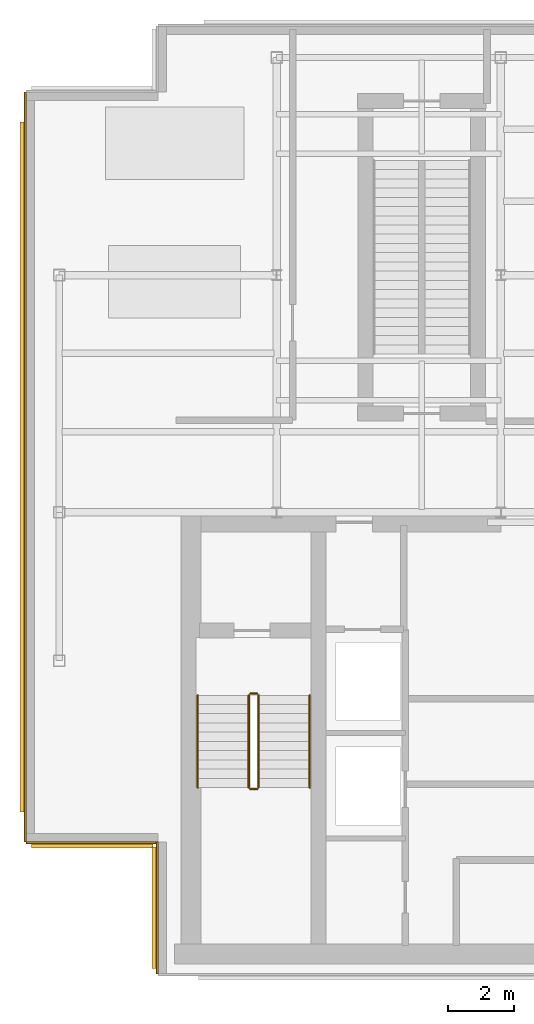
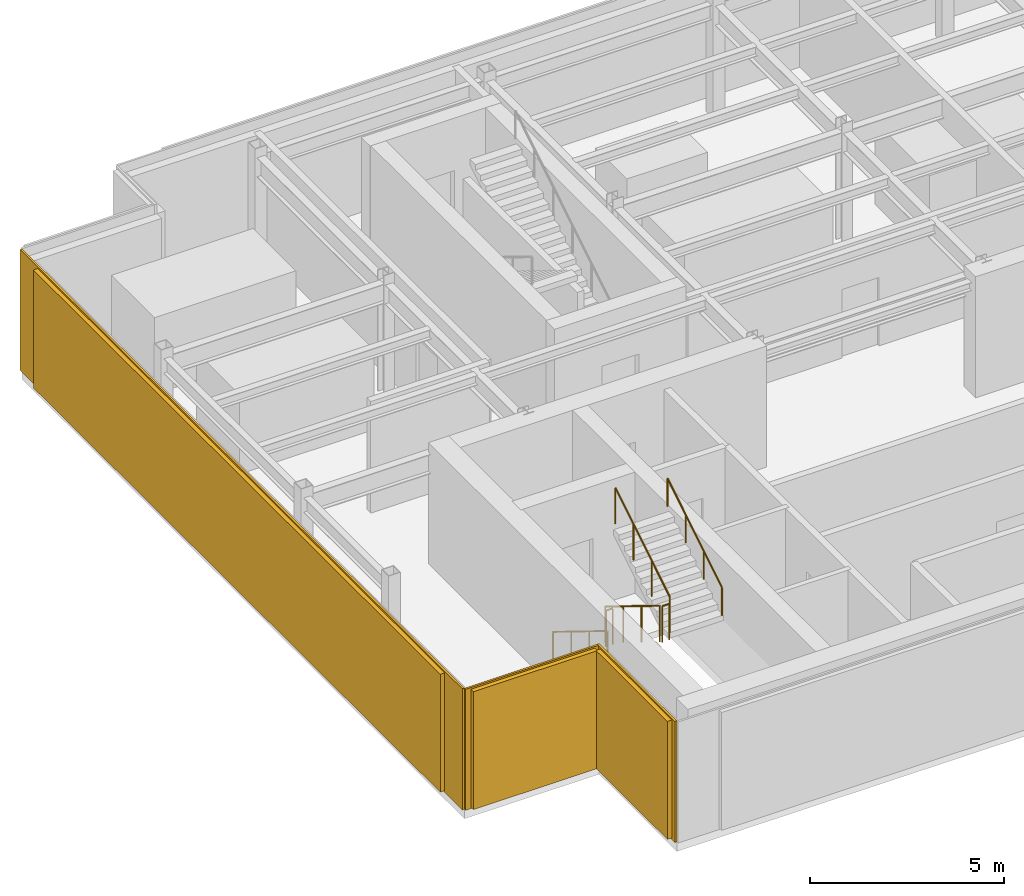
# One storey, part 4 of 7: 6 railings, 3 coverings, 3 shading devices.
"""IFC4 building model written with IfcOpenShell, lengths in metres."""

from ifc_helpers import new_model, si_unit, derived_unit, direction, frame, origin, origin_2d, place, context, subcontext, project, spatial, rectangle, circle, extrude, source, transform, mapped, material, layer, layer_set, type_object, element, save


model = new_model("IFC4")

# Units and contexts
model_context = context("Model", 3, precision=1e-05, world=origin(), true_north=direction((0.0, 1.0)))
body_context = subcontext(model_context, "Body", "Model", "MODEL_VIEW")
ifc_project = project(units=[si_unit("LENGTHUNIT", "METRE"), si_unit("AREAUNIT", "SQUARE_METRE"), si_unit("VOLUMEUNIT", "CUBIC_METRE"), si_unit("PLANEANGLEUNIT", "RADIAN"), si_unit("MASSUNIT", "GRAM", prefix="KILO"), derived_unit("THERMALTRANSMITTANCEUNIT", [(si_unit("POWERUNIT", "WATT"), 1), (si_unit("LENGTHUNIT", "METRE"), -2), (si_unit("THERMODYNAMICTEMPERATUREUNIT", "KELVIN"), -1)])], contexts=[model_context])

# Site, building, storey
site_placement = place(None, origin())
site = spatial("IfcSite", under=ifc_project, at=site_placement, CompositionType="ELEMENT")
building_placement = place(site_placement, origin())
building = spatial("IfcBuilding", under=site, at=building_placement, Name="Skarnbrae Concourse Arena and Tower", CompositionType="ELEMENT")
storey_placement = place(building_placement, frame((0.0, 0.0, 299.85009765625)))
storey = spatial("IfcBuildingStorey", under=building, at=storey_placement, Name="L78", CompositionType="ELEMENT", Elevation=299.85009765625)

# Railings
ifc_material_1 = material(Name="Steel CSA G40.21 350W", Category="steel")
railing_type_1 = type_object("IfcRailingType", Name="RAIL-HANDRAIL-900", PredefinedType="HANDRAIL", material=ifc_material_1)
railing_1_placement = place(storey_placement, frame((5.199951171875, 8.449951171875, 0.172607421875)))
element("IfcRailing", 1, at=railing_1_placement, inside=storey, type_object=railing_type_1, Name="L78 ST-1 stair handrail 1", PredefinedType="HANDRAIL", context=body_context, shape_type="SweptSolid", body=[
    extrude(circle(Radius=0.02392578125, at=origin_2d()), frame((0.0, 0.0, 0.8759765625), z_axis=(0.0, -0.851089632645, 0.525020415988), x_axis=(1.0, 0.0, 0.0)), (0.0, 0.0, 1.0), 3.2900390625),
    extrude(circle(Radius=0.02099609375, at=origin_2d()), origin(), (0.0, 0.0, 1.0), 0.851806640625),
    extrude(circle(Radius=0.02099609375, at=origin_2d()), frame((0.0, -0.933349609375, 0.57568359375)), (0.0, 0.0, 1.0), 0.851806640625),
    extrude(circle(Radius=0.02099609375, at=origin_2d()), frame((0.0, -1.86669921875, 1.151611328125)), (0.0, 0.0, 1.0), 0.851806640625),
    extrude(circle(Radius=0.02099609375, at=origin_2d()), frame((0.0, -2.800048828125, 1.727294921875)), (0.0, 0.0, 1.0), 0.851806640625),
])
railing_2_placement = place(storey_placement, frame((8.60009765625, 5.64990234375, 2.072509765625)))
element("IfcRailing", 2, at=railing_2_placement, inside=storey, type_object=railing_type_1, Name="L78 ST-1 stair handrail 2", PredefinedType="HANDRAIL", context=body_context, shape_type="SweptSolid", body=[
    extrude(circle(Radius=0.02392578125, at=origin_2d()), frame((0.0, 0.0, 0.8759765625), z_axis=(0.0, 0.851089632645, 0.525020415988), x_axis=(-1.0, 0.0, 0.0)), (0.0, 0.0, 1.0), 3.2900390625),
    extrude(circle(Radius=0.02099609375, at=origin_2d()), origin(), (0.0, 0.0, 1.0), 0.851806640625),
    extrude(circle(Radius=0.02099609375, at=origin_2d()), frame((0.0, 0.933349609375, 0.57568359375)), (0.0, 0.0, 1.0), 0.851806640625),
    extrude(circle(Radius=0.02099609375, at=origin_2d()), frame((0.0, 1.86669921875, 1.151611328125)), (0.0, 0.0, 1.0), 0.851806640625),
    extrude(circle(Radius=0.02099609375, at=origin_2d()), frame((0.0, 2.800048828125, 1.727294921875)), (0.0, 0.0, 1.0), 0.851806640625),
])
railing_type_2 = type_object("IfcRailingType", Name="RAIL-STAIR-GUARD-1150", PredefinedType="GUARDRAIL", material=ifc_material_1)
railing_3_placement = place(storey_placement, frame((6.75, 8.449951171875, 0.172607421875)))
element("IfcRailing", 3, at=railing_3_placement, inside=storey, type_object=railing_type_2, Name="L78 ST-1 stair guard 1", PredefinedType="GUARDRAIL", context=body_context, shape_type="SweptSolid", body=[
    extrude(circle(Radius=0.02392578125, at=origin_2d()), frame((0.0, 0.0, 1.1259765625), z_axis=(0.0, -0.851089632645, 0.525020415988), x_axis=(1.0, 0.0, 0.0)), (0.0, 0.0, 1.0), 3.2900390625),
    extrude(circle(Radius=0.02099609375, at=origin_2d()), origin(), (0.0, 0.0, 1.0), 1.101806640625),
    extrude(circle(Radius=0.02099609375, at=origin_2d()), frame((0.0, -0.933349609375, 0.57568359375)), (0.0, 0.0, 1.0), 1.101806640625),
    extrude(circle(Radius=0.02099609375, at=origin_2d()), frame((0.0, -1.86669921875, 1.151611328125)), (0.0, 0.0, 1.0), 1.101806640625),
    extrude(circle(Radius=0.02099609375, at=origin_2d()), frame((0.0, -2.800048828125, 1.727294921875)), (0.0, 0.0, 1.0), 1.101806640625),
])
railing_4_placement = place(storey_placement, frame((6.800048828125, 5.60009765625, 1.89990234375)))
element("IfcRailing", 4, at=railing_4_placement, inside=storey, type_object=railing_type_2, Name="L78 ST-1 stair guard 2", PredefinedType="GUARDRAIL", context=body_context, shape_type="SweptSolid", body=[
    extrude(circle(Radius=0.02392578125, at=origin_2d()), frame((0.0, 0.0, 1.1259765625), z_axis=(1.0, 0.0, 0.0), x_axis=(0.0, 1.0, 0.0)), (0.0, 0.0, 1.0), 0.199951171875),
    extrude(circle(Radius=0.02099609375, at=origin_2d()), origin(), (0.0, 0.0, 1.0), 1.101806640625),
    extrude(circle(Radius=0.02099609375, at=origin_2d()), frame((0.199951171875, 0.0, 0.0)), (0.0, 0.0, 1.0), 1.101806640625),
])
railing_5_placement = place(storey_placement, frame((7.050048828125, 5.64990234375, 2.072509765625)))
element("IfcRailing", 5, at=railing_5_placement, inside=storey, type_object=railing_type_2, Name="L78 ST-1 stair guard 3", PredefinedType="GUARDRAIL", context=body_context, shape_type="SweptSolid", body=[
    extrude(circle(Radius=0.02392578125, at=origin_2d()), frame((0.0, 0.0, 1.1259765625), z_axis=(0.0, 0.851089632645, 0.525020415988), x_axis=(-1.0, 0.0, 0.0)), (0.0, 0.0, 1.0), 3.2900390625),
    extrude(circle(Radius=0.02099609375, at=origin_2d()), origin(), (0.0, 0.0, 1.0), 1.101806640625),
    extrude(circle(Radius=0.02099609375, at=origin_2d()), frame((0.0, 0.933349609375, 0.57568359375)), (0.0, 0.0, 1.0), 1.101806640625),
    extrude(circle(Radius=0.02099609375, at=origin_2d()), frame((0.0, 1.86669921875, 1.151611328125)), (0.0, 0.0, 1.0), 1.101806640625),
    extrude(circle(Radius=0.02099609375, at=origin_2d()), frame((0.0, 2.800048828125, 1.727294921875)), (0.0, 0.0, 1.0), 1.101806640625),
])
railing_6_placement = place(storey_placement, frame((6.800048828125, 8.5, 0.0)))
element("IfcRailing", 6, at=railing_6_placement, inside=storey, type_object=railing_type_2, Name="L78 ST-1 stair guard 4", PredefinedType="GUARDRAIL", context=body_context, shape_type="SweptSolid", body=[
    extrude(circle(Radius=0.02392578125, at=origin_2d()), frame((0.0, 0.0, 1.1259765625), z_axis=(1.0, 0.0, 0.0), x_axis=(0.0, 1.0, 0.0)), (0.0, 0.0, 1.0), 0.199951171875),
    extrude(circle(Radius=0.02099609375, at=origin_2d()), origin(), (0.0, 0.0, 1.0), 1.101806640625),
    extrude(circle(Radius=0.02099609375, at=origin_2d()), frame((0.199951171875, 0.0, 0.0)), (0.0, 0.0, 1.0), 1.101806640625),
])

# Coverings
ifc_material_2 = material(Name="Bronze anodised aluminium 6063-T6", Category="aluminium")
ifc_layer = layer(ifc_material_2, 0.06005859375)
ifc_layer_set = layer_set([ifc_layer], Name="Bronze anodised aluminium 6063-T6")
covering_type = type_object("IfcCoveringType", Name="COV-CLAD-BRONZE-60", PredefinedType="CLADDING", material=ifc_layer_set)
shared_shape_1 = source(origin(), body_context, "Body", "SweptSolid", [
    extrude(rectangle(XDim=4.0, YDim=0.06005859375, at=origin_2d()), origin(), (0.0, 0.0, 1.0), 3.800048828125),
])
for number, where, z_axis, x_axis, name in (
    (7, (2.0, 3.969970703125, 0.0), (0.0, 0.0, 1.0), (1.0, 0.0, 0.0), "L78 Bronze crown rainscreen cladding 11"),
    (8, (3.969970703125, 2.0, 0.0), (0.0, 0.0, 1.0), (0.0, -1.0, 0.0), "L78 Bronze crown rainscreen cladding 12"),
):
    element("IfcCovering", number, at=place(storey_placement, frame(where, z_axis=z_axis, x_axis=x_axis)), inside=storey, type_object=covering_type, Name=name, PredefinedType="CLADDING", context=body_context, shape_type="MappedRepresentation", body=[
        mapped(shared_shape_1, transform((0.0, 0.0, 0.0))),
    ])

# Shading devices
shading_device_type = type_object("IfcShadingDeviceType", Name="SHD-BRONZE-LOUVRE-150", PredefinedType="USERDEFINED", material=ifc_material_2)
shared_shape_2 = source(origin(), body_context, "Body", "SweptSolid", [
    extrude(rectangle(XDim=3.679931640625, YDim=0.139892578125, at=origin_2d()), origin(), (0.0, 0.0, 1.0), 3.699951171875),
])
for number, where, z_axis, x_axis, name in (
    (9, (2.0, 3.8798828125, 0.0498046875), (0.0, 0.0, 1.0), (1.0, 0.0, 0.0), "L78 Crown bronze architectural louvre screen 11"),
    (10, (3.8798828125, 2.0, 0.0498046875), (0.0, 0.0, 1.0), (0.0, -1.0, 0.0), "L78 Crown bronze architectural louvre screen 12"),
):
    element("IfcShadingDevice", number, at=place(storey_placement, frame(where, z_axis=z_axis, x_axis=x_axis)), inside=storey, type_object=shading_device_type, Name=name, ObjectType="LOUVRE", PredefinedType="USERDEFINED", context=body_context, shape_type="MappedRepresentation", body=[
        mapped(shared_shape_2, transform((0.0, 0.0, 0.0))),
    ])

# Covering
shared_shape_3 = source(origin(), body_context, "Body", "SweptSolid", [
    extrude(rectangle(XDim=22.75, YDim=0.06005859375, at=origin_2d()), origin(), (0.0, 0.0, 1.0), 3.800048828125),
])
covering_placement = place(storey_placement, frame((-0.030029296875, 15.375, 0.0), z_axis=(0.0, 0.0, 1.0), x_axis=(0.0, -1.0, 0.0)))
element("IfcCovering", 11, at=covering_placement, inside=storey, type_object=covering_type, Name="L78 Bronze crown rainscreen cladding 10", PredefinedType="CLADDING", context=body_context, shape_type="MappedRepresentation", body=[
    mapped(shared_shape_3, transform((0.0, 0.0, 0.0))),
])

# Shading device
shared_shape_4 = source(origin(), body_context, "Body", "SweptSolid", [
    extrude(rectangle(XDim=20.929931640625, YDim=0.139892578125, at=origin_2d()), origin(), (0.0, 0.0, 1.0), 3.699951171875),
])
shading_device_placement = place(storey_placement, frame((-0.1201171875, 15.375, 0.0498046875), z_axis=(0.0, 0.0, 1.0), x_axis=(0.0, -1.0, 0.0)))
element("IfcShadingDevice", 12, at=shading_device_placement, inside=storey, type_object=shading_device_type, Name="L78 Crown bronze architectural louvre screen 10", ObjectType="LOUVRE", PredefinedType="USERDEFINED", context=body_context, shape_type="MappedRepresentation", body=[
    mapped(shared_shape_4, transform((0.0, 0.0, 0.0))),
])

save(model, "model.ifc")
